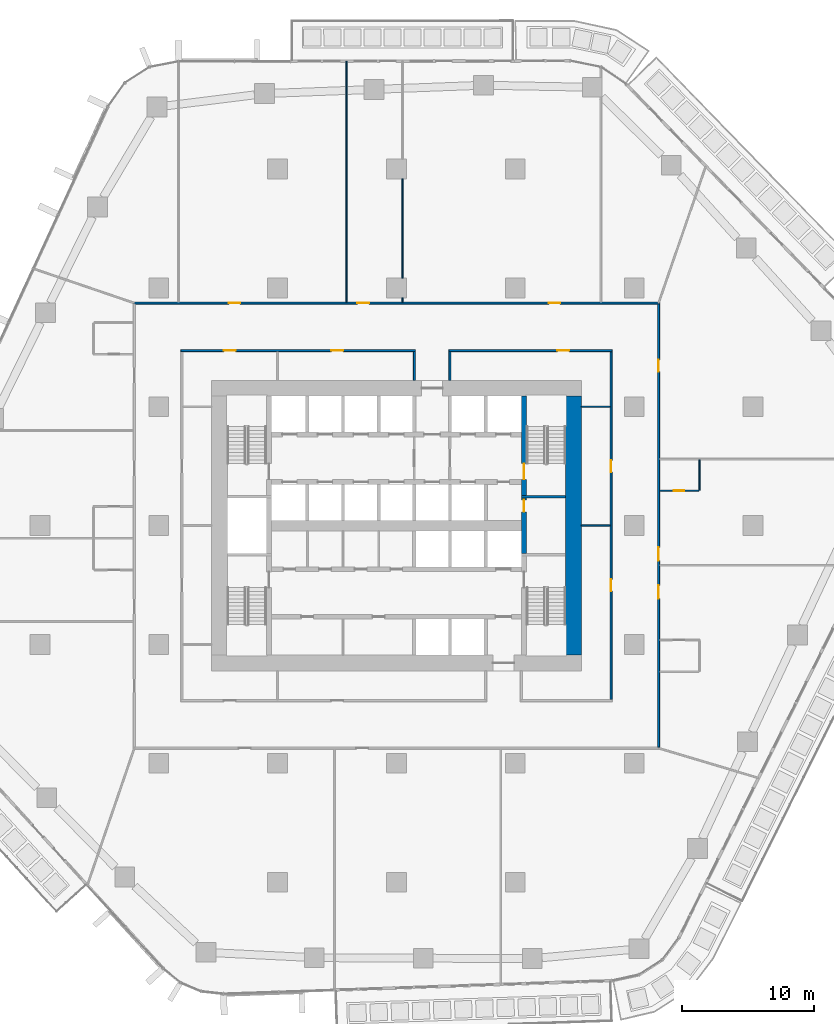
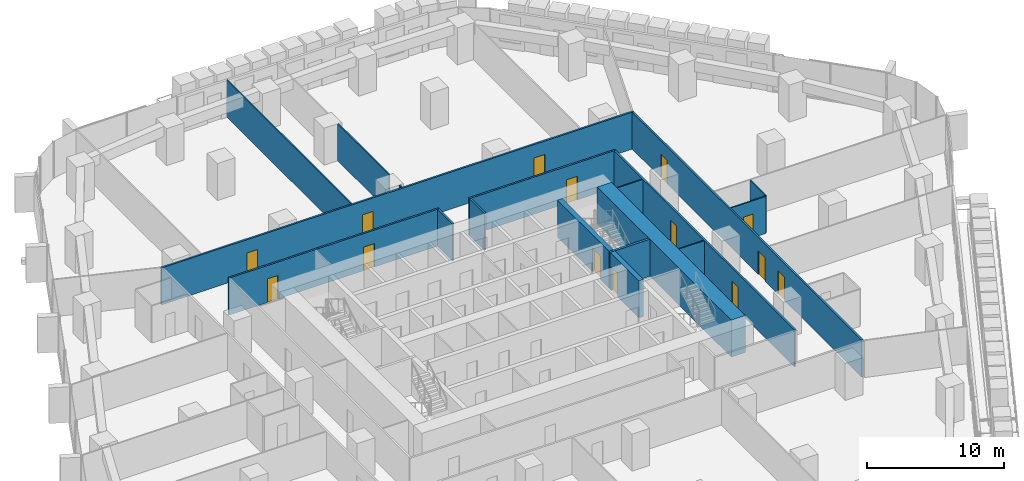
# One storey, part 16 of 26: 18 walls, 14 doors, 14 openings.
"""IFC4 building model written with IfcOpenShell, lengths in metres."""

from ifc_helpers import new_model, si_unit, direction, frame, frame_2d, origin, place, context, subcontext, project, spatial, rectangle, extrude, material, layer, layer_set, type_object, element, fill, save


model = new_model("IFC4")

# Units and contexts
model_context = context("Model", 3, precision=1e-05, world=origin(), true_north=direction((0.0, 1.0)))
body_context = subcontext(model_context, "Body", "Model", "MODEL_VIEW")
ifc_project = project(units=[si_unit("LENGTHUNIT", "METRE"), si_unit("AREAUNIT", "SQUARE_METRE"), si_unit("VOLUMEUNIT", "CUBIC_METRE"), si_unit("PLANEANGLEUNIT", "RADIAN"), si_unit("MASSUNIT", "GRAM", prefix="KILO")], contexts=[model_context])

# Site, building, storey
site_placement = place(None, origin())
site = spatial("IfcSite", under=ifc_project, at=site_placement, CompositionType="ELEMENT")
building_placement = place(site_placement, origin())
building = spatial("IfcBuilding", under=site, at=building_placement, Name="Dongbaek Canopy Tower", CompositionType="ELEMENT")
storey_placement = place(building_placement, frame((0.0, 0.0, 69.89990234375)))
storey = spatial("IfcBuildingStorey", under=building, at=storey_placement, Name="L13", CompositionType="ELEMENT", Elevation=69.89990234375)

# Wall
ifc_material_1 = material(Name="Concrete C60/75", Category="concrete")
ifc_layer_1 = layer(ifc_material_1, 1.199951171875)
ifc_layer_set_1 = layer_set([ifc_layer_1], Name="Core outer wall 1200 Concrete C60/75")
wall_type_1 = type_object("IfcWallType", Name="Core outer wall 1200 Concrete C60/75", PredefinedType="SHEAR", material=ifc_layer_set_1)
wall_1_placement = place(storey_placement, frame((13.39990234375, 9.800048828125, 0.0), z_axis=(0.0, 0.0, 1.0), x_axis=(0.0, -1.0, 0.0)))
element("IfcWall", 1, at=wall_1_placement, inside=storey, type_object=wall_type_1, Name="Core wall", PredefinedType="SHEAR", context=body_context, shape_type="SweptSolid", body=[
    extrude(rectangle(XDim=19.60009765625, YDim=1.199951171875, at=frame_2d((9.800048828125, 0.0))), origin(), (0.0, 0.0, 1.0), 3.300048828125),
])

# Wall, openings, doors
ifc_material_2 = material(Name="Gypsum board partition, steel stud, 2 x 15 mm fire board", Category="steel")
ifc_layer_2 = layer(ifc_material_2, 0.14990234375)
ifc_layer_set_2 = layer_set([ifc_layer_2], Name="Fire-rated partition 150 gypsum board")
wall_type_2 = type_object("IfcWallType", Name="Fire-rated partition 150 gypsum board", PredefinedType="PARTITIONING", material=ifc_layer_set_2)
wall_2_placement = place(storey_placement, frame((1.425048828125, 13.25, 0.0), z_axis=(0.0, 0.0, 1.0), x_axis=(-1.0, 0.0, 0.0)))
wall_2 = element("IfcWall", 2, at=wall_2_placement, inside=storey, type_object=wall_type_2, Name="Corridor partition", PredefinedType="PARTITIONING", context=body_context, shape_type="SweptSolid", body=[
    extrude(rectangle(XDim=17.75, YDim=0.14990234375, at=frame_2d((8.875, 0.0))), origin(), (0.0, 0.0, 1.0), 3.300048828125),
])
opening_1_placement = place(wall_2_placement, frame((5.47509765625, 0.0, 0.0)))
opening_1 = element("IfcOpeningElement", 3, at=opening_1_placement, cuts=wall_2, Name="Opening L13-D024", PredefinedType="OPENING", context=body_context, shape_type="SweptSolid", body=[
    extrude(rectangle(XDim=0.89990234375, YDim=2.10009765625, at=frame_2d((0.449951171875, 1.050048828125))), frame((0.0, 0.0849609375, 0.0), z_axis=(0.0, -1.0, 0.0), x_axis=(1.0, 0.0, 0.0)), (0.0, 0.0, 1.0), 0.169921875),
])
opening_2_placement = place(wall_2_placement, frame((13.60009765625, 0.0, 0.0)))
opening_2 = element("IfcOpeningElement", 4, at=opening_2_placement, cuts=wall_2, Name="Opening L13-D025", PredefinedType="OPENING", context=body_context, shape_type="SweptSolid", body=[
    extrude(rectangle(XDim=0.89990234375, YDim=2.10009765625, at=frame_2d((0.449951171875, 1.050048828125))), frame((0.0, 0.0849609375, 0.0), z_axis=(0.0, -1.0, 0.0), x_axis=(1.0, 0.0, 0.0)), (0.0, 0.0, 1.0), 0.169921875),
])
ifc_material_3 = material(Name="Timber veneered door leaf", Category="wood")
door_type_1 = type_object("IfcDoorType", Name="Room door 900 x 2100", OperationType="SINGLE_SWING_LEFT", PredefinedType="DOOR", material=ifc_material_3)
door_1_placement = place(opening_1_placement, origin())
door_1 = element("IfcDoor", 5, at=door_1_placement, inside=storey, type_object=door_type_1, Name="Door L13-D024", OperationType="SINGLE_SWING_RIGHT", OverallHeight=2.10009765625, OverallWidth=0.89990234375, PredefinedType="DOOR", context=body_context, shape_type="SweptSolid", body=[
    extrude(rectangle(XDim=0.89990234375, YDim=2.10009765625, at=frame_2d((0.449951171875, 1.050048828125))), frame((0.0, 0.02490234375, 0.0), z_axis=(0.0, -1.0, 0.0), x_axis=(1.0, 0.0, 0.0)), (0.0, 0.0, 1.0), 0.050048828125),
])
fill(opening_1, door_1)
door_2_placement = place(opening_2_placement, origin())
door_2 = element("IfcDoor", 6, at=door_2_placement, inside=storey, type_object=door_type_1, Name="Door L13-D025", OperationType="SINGLE_SWING_LEFT", OverallHeight=2.10009765625, OverallWidth=0.89990234375, PredefinedType="DOOR", context=body_context, shape_type="SweptSolid", body=[
    extrude(rectangle(XDim=0.89990234375, YDim=2.10009765625, at=frame_2d((0.449951171875, 1.050048828125))), frame((0.0, 0.02490234375, 0.0), z_axis=(0.0, -1.0, 0.0), x_axis=(1.0, 0.0, 0.0)), (0.0, 0.0, 1.0), 0.050048828125),
])
fill(opening_2, door_2)

# Wall, opening, door
wall_3_placement = place(storey_placement, frame((16.324951171875, 13.25, 0.0), z_axis=(0.0, 0.0, 1.0), x_axis=(-1.0, 0.0, 0.0)))
wall_3 = element("IfcWall", 7, at=wall_3_placement, inside=storey, type_object=wall_type_2, Name="Corridor partition", PredefinedType="PARTITIONING", context=body_context, shape_type="SweptSolid", body=[
    extrude(rectangle(XDim=12.349853515625, YDim=0.14990234375, at=frame_2d((6.1748046875, 0.0))), origin(), (0.0, 0.0, 1.0), 3.300048828125),
])
opening_3_placement = place(wall_3_placement, frame((3.25, 0.0, 0.0)))
opening_3 = element("IfcOpeningElement", 8, at=opening_3_placement, cuts=wall_3, Name="Opening L13-D023", PredefinedType="OPENING", context=body_context, shape_type="SweptSolid", body=[
    extrude(rectangle(XDim=0.89990234375, YDim=2.10009765625, at=frame_2d((0.449951171875, 1.050048828125))), frame((0.0, 0.0849609375, 0.0), z_axis=(0.0, -1.0, 0.0), x_axis=(1.0, 0.0, 0.0)), (0.0, 0.0, 1.0), 0.169921875),
])
door_3_placement = place(opening_3_placement, origin())
door_3 = element("IfcDoor", 9, at=door_3_placement, inside=storey, type_object=door_type_1, Name="Door L13-D023", OperationType="SINGLE_SWING_LEFT", OverallHeight=2.10009765625, OverallWidth=0.89990234375, PredefinedType="DOOR", context=body_context, shape_type="SweptSolid", body=[
    extrude(rectangle(XDim=0.89990234375, YDim=2.10009765625, at=frame_2d((0.449951171875, 1.050048828125))), frame((0.0, 0.02490234375, 0.0), z_axis=(0.0, -1.0, 0.0), x_axis=(1.0, 0.0, 0.0)), (0.0, 0.0, 1.0), 0.050048828125),
])
fill(opening_3, door_3)

# Wall, openings, doors
wall_4_placement = place(storey_placement, frame((-19.925048828125, 16.85009765625, 0.0), z_axis=(0.0, 0.0, 1.0), x_axis=(1.0, 0.0, 0.0)))
wall_4 = element("IfcWall", 10, at=wall_4_placement, inside=storey, type_object=wall_type_2, Name="Corridor partition", PredefinedType="PARTITIONING", context=body_context, shape_type="SweptSolid", body=[
    extrude(rectangle(XDim=39.85009765625, YDim=0.14990234375, at=frame_2d((19.925048828125, 0.0))), origin(), (0.0, 0.0, 1.0), 3.300048828125),
])
opening_4_placement = place(wall_4_placement, frame((31.436279296875, 0.0, 0.0)))
opening_4 = element("IfcOpeningElement", 11, at=opening_4_placement, cuts=wall_4, Name="Opening L13-D011", PredefinedType="OPENING", context=body_context, shape_type="SweptSolid", body=[
    extrude(rectangle(XDim=0.89990234375, YDim=2.10009765625, at=frame_2d((0.449951171875, 1.050048828125))), frame((0.0, 0.0849609375, 0.0), z_axis=(0.0, -1.0, 0.0), x_axis=(1.0, 0.0, 0.0)), (0.0, 0.0, 1.0), 0.169921875),
])
opening_5_placement = place(wall_4_placement, frame((16.9541015625, 0.0, 0.0)))
opening_5 = element("IfcOpeningElement", 12, at=opening_5_placement, cuts=wall_4, Name="Opening L13-D012", PredefinedType="OPENING", context=body_context, shape_type="SweptSolid", body=[
    extrude(rectangle(XDim=0.89990234375, YDim=2.10009765625, at=frame_2d((0.449951171875, 1.050048828125))), frame((0.0, 0.0849609375, 0.0), z_axis=(0.0, -1.0, 0.0), x_axis=(1.0, 0.0, 0.0)), (0.0, 0.0, 1.0), 0.169921875),
])
opening_6_placement = place(wall_4_placement, frame((7.20849609375, 0.0, 0.0)))
opening_6 = element("IfcOpeningElement", 13, at=opening_6_placement, cuts=wall_4, Name="Opening L13-D013", PredefinedType="OPENING", context=body_context, shape_type="SweptSolid", body=[
    extrude(rectangle(XDim=0.89990234375, YDim=2.10009765625, at=frame_2d((0.449951171875, 1.050048828125))), frame((0.0, 0.0849609375, 0.0), z_axis=(0.0, -1.0, 0.0), x_axis=(1.0, 0.0, 0.0)), (0.0, 0.0, 1.0), 0.169921875),
])
door_4_placement = place(opening_4_placement, origin())
door_4 = element("IfcDoor", 14, at=door_4_placement, inside=storey, type_object=door_type_1, Name="Door L13-D011", OperationType="SINGLE_SWING_RIGHT", OverallHeight=2.10009765625, OverallWidth=0.89990234375, PredefinedType="DOOR", context=body_context, shape_type="SweptSolid", body=[
    extrude(rectangle(XDim=0.89990234375, YDim=2.10009765625, at=frame_2d((0.449951171875, 1.050048828125))), frame((0.0, 0.02490234375, 0.0), z_axis=(0.0, -1.0, 0.0), x_axis=(1.0, 0.0, 0.0)), (0.0, 0.0, 1.0), 0.050048828125),
])
fill(opening_4, door_4)
door_5_placement = place(opening_5_placement, origin())
door_5 = element("IfcDoor", 15, at=door_5_placement, inside=storey, type_object=door_type_1, Name="Door L13-D012", OperationType="SINGLE_SWING_LEFT", OverallHeight=2.10009765625, OverallWidth=0.89990234375, PredefinedType="DOOR", context=body_context, shape_type="SweptSolid", body=[
    extrude(rectangle(XDim=0.89990234375, YDim=2.10009765625, at=frame_2d((0.449951171875, 1.050048828125))), frame((0.0, 0.02490234375, 0.0), z_axis=(0.0, -1.0, 0.0), x_axis=(1.0, 0.0, 0.0)), (0.0, 0.0, 1.0), 0.050048828125),
])
fill(opening_5, door_5)
door_6_placement = place(opening_6_placement, origin())
door_6 = element("IfcDoor", 16, at=door_6_placement, inside=storey, type_object=door_type_1, Name="Door L13-D013", OperationType="SINGLE_SWING_RIGHT", OverallHeight=2.10009765625, OverallWidth=0.89990234375, PredefinedType="DOOR", context=body_context, shape_type="SweptSolid", body=[
    extrude(rectangle(XDim=0.89990234375, YDim=2.10009765625, at=frame_2d((0.449951171875, 1.050048828125))), frame((0.0, 0.02490234375, 0.0), z_axis=(0.0, -1.0, 0.0), x_axis=(1.0, 0.0, 0.0)), (0.0, 0.0, 1.0), 0.050048828125),
])
fill(opening_6, door_6)

wall_5_placement = place(storey_placement, frame((19.85009765625, 16.77490234375, 0.0), z_axis=(0.0, 0.0, 1.0), x_axis=(0.0, -1.0, 0.0)))
wall_5 = element("IfcWall", 17, at=wall_5_placement, inside=storey, type_object=wall_type_2, Name="Corridor partition", PredefinedType="PARTITIONING", context=body_context, shape_type="SweptSolid", body=[
    extrude(rectangle(XDim=33.5498046875, YDim=0.14990234375, at=frame_2d((16.77490234375, 0.0))), origin(), (0.0, 0.0, 1.0), 3.300048828125),
])
opening_7_placement = place(wall_5_placement, frame((21.29345703125, 0.0, 0.0)))
opening_7 = element("IfcOpeningElement", 18, at=opening_7_placement, cuts=wall_5, Name="Opening L13-D007", PredefinedType="OPENING", context=body_context, shape_type="SweptSolid", body=[
    extrude(rectangle(XDim=1.0, YDim=2.10009765625, at=frame_2d((0.5, 1.050048828125))), frame((0.0, 0.0849609375, 0.0), z_axis=(0.0, -1.0, 0.0), x_axis=(1.0, 0.0, 0.0)), (0.0, 0.0, 1.0), 0.169921875),
])
opening_8_placement = place(wall_5_placement, frame((18.426513671875, 0.0, 0.0)))
opening_8 = element("IfcOpeningElement", 19, at=opening_8_placement, cuts=wall_5, Name="Opening L13-D009", PredefinedType="OPENING", context=body_context, shape_type="SweptSolid", body=[
    extrude(rectangle(XDim=1.0, YDim=2.10009765625, at=frame_2d((0.5, 1.050048828125))), frame((0.0, 0.0849609375, 0.0), z_axis=(0.0, -1.0, 0.0), x_axis=(1.0, 0.0, 0.0)), (0.0, 0.0, 1.0), 0.169921875),
])
opening_9_placement = place(wall_5_placement, frame((4.210693359375, 0.0, 0.0)))
opening_9 = element("IfcOpeningElement", 20, at=opening_9_placement, cuts=wall_5, Name="Opening L13-D010", PredefinedType="OPENING", context=body_context, shape_type="SweptSolid", body=[
    extrude(rectangle(XDim=0.89990234375, YDim=2.10009765625, at=frame_2d((0.449951171875, 1.050048828125))), frame((0.0, 0.0849609375, 0.0), z_axis=(0.0, -1.0, 0.0), x_axis=(1.0, 0.0, 0.0)), (0.0, 0.0, 1.0), 0.169921875),
])
ifc_material_4 = material(Name="Timber veneered door leaf", Category="wood")
door_type_2 = type_object("IfcDoorType", Name="Guest room door 1000 x 2100", OperationType="SINGLE_SWING_LEFT", PredefinedType="DOOR", material=ifc_material_4)
door_7_placement = place(opening_7_placement, origin())
door_7 = element("IfcDoor", 21, at=door_7_placement, inside=storey, type_object=door_type_2, Name="Door L13-D007", OperationType="SINGLE_SWING_RIGHT", OverallHeight=2.10009765625, OverallWidth=1.0, PredefinedType="DOOR", context=body_context, shape_type="SweptSolid", body=[
    extrude(rectangle(XDim=1.0, YDim=2.10009765625, at=frame_2d((0.5, 1.050048828125))), frame((0.0, 0.02490234375, 0.0), z_axis=(0.0, -1.0, 0.0), x_axis=(1.0, 0.0, 0.0)), (0.0, 0.0, 1.0), 0.050048828125),
])
fill(opening_7, door_7)
door_8_placement = place(opening_8_placement, origin())
door_8 = element("IfcDoor", 22, at=door_8_placement, inside=storey, type_object=door_type_2, Name="Door L13-D009", OperationType="SINGLE_SWING_LEFT", OverallHeight=2.10009765625, OverallWidth=1.0, PredefinedType="DOOR", context=body_context, shape_type="SweptSolid", body=[
    extrude(rectangle(XDim=1.0, YDim=2.10009765625, at=frame_2d((0.5, 1.050048828125))), frame((0.0, 0.02490234375, 0.0), z_axis=(0.0, -1.0, 0.0), x_axis=(1.0, 0.0, 0.0)), (0.0, 0.0, 1.0), 0.050048828125),
])
fill(opening_8, door_8)
door_9_placement = place(opening_9_placement, origin())
door_9 = element("IfcDoor", 23, at=door_9_placement, inside=storey, type_object=door_type_1, Name="Door L13-D010", OperationType="SINGLE_SWING_RIGHT", OverallHeight=2.10009765625, OverallWidth=0.89990234375, PredefinedType="DOOR", context=body_context, shape_type="SweptSolid", body=[
    extrude(rectangle(XDim=0.89990234375, YDim=2.10009765625, at=frame_2d((0.449951171875, 1.050048828125))), frame((0.0, 0.02490234375, 0.0), z_axis=(0.0, -1.0, 0.0), x_axis=(1.0, 0.0, 0.0)), (0.0, 0.0, 1.0), 0.050048828125),
])
fill(opening_9, door_9)

wall_6_placement = place(storey_placement, frame((16.25, -13.175048828125, 0.0), z_axis=(0.0, 0.0, 1.0), x_axis=(0.0, 1.0, 0.0)))
wall_6 = element("IfcWall", 24, at=wall_6_placement, inside=storey, type_object=wall_type_2, Name="Corridor partition", PredefinedType="PARTITIONING", context=body_context, shape_type="SweptSolid", body=[
    extrude(rectangle(XDim=26.35009765625, YDim=0.14990234375, at=frame_2d((13.175048828125, 0.0))), origin(), (0.0, 0.0, 1.0), 3.300048828125),
])
opening_10_placement = place(wall_6_placement, frame((8.22509765625, 0.0, 0.0)))
opening_10 = element("IfcOpeningElement", 25, at=opening_10_placement, cuts=wall_6, Name="Opening L13-D021", PredefinedType="OPENING", context=body_context, shape_type="SweptSolid", body=[
    extrude(rectangle(XDim=0.89990234375, YDim=2.10009765625, at=frame_2d((0.449951171875, 1.050048828125))), frame((0.0, 0.0849609375, 0.0), z_axis=(0.0, -1.0, 0.0), x_axis=(1.0, 0.0, 0.0)), (0.0, 0.0, 1.0), 0.169921875),
])
opening_11_placement = place(wall_6_placement, frame((17.22509765625, 0.0, 0.0)))
opening_11 = element("IfcOpeningElement", 26, at=opening_11_placement, cuts=wall_6, Name="Opening L13-D022", PredefinedType="OPENING", context=body_context, shape_type="SweptSolid", body=[
    extrude(rectangle(XDim=0.89990234375, YDim=2.10009765625, at=frame_2d((0.449951171875, 1.050048828125))), frame((0.0, 0.0849609375, 0.0), z_axis=(0.0, -1.0, 0.0), x_axis=(1.0, 0.0, 0.0)), (0.0, 0.0, 1.0), 0.169921875),
])
door_10_placement = place(opening_10_placement, origin())
door_10 = element("IfcDoor", 27, at=door_10_placement, inside=storey, type_object=door_type_1, Name="Door L13-D021", OperationType="SINGLE_SWING_LEFT", OverallHeight=2.10009765625, OverallWidth=0.89990234375, PredefinedType="DOOR", context=body_context, shape_type="SweptSolid", body=[
    extrude(rectangle(XDim=0.89990234375, YDim=2.10009765625, at=frame_2d((0.449951171875, 1.050048828125))), frame((0.0, 0.02490234375, 0.0), z_axis=(0.0, -1.0, 0.0), x_axis=(1.0, 0.0, 0.0)), (0.0, 0.0, 1.0), 0.050048828125),
])
fill(opening_10, door_10)
door_11_placement = place(opening_11_placement, origin())
door_11 = element("IfcDoor", 28, at=door_11_placement, inside=storey, type_object=door_type_1, Name="Door L13-D022", OperationType="SINGLE_SWING_RIGHT", OverallHeight=2.10009765625, OverallWidth=0.89990234375, PredefinedType="DOOR", context=body_context, shape_type="SweptSolid", body=[
    extrude(rectangle(XDim=0.89990234375, YDim=2.10009765625, at=frame_2d((0.449951171875, 1.050048828125))), frame((0.0, 0.02490234375, 0.0), z_axis=(0.0, -1.0, 0.0), x_axis=(1.0, 0.0, 0.0)), (0.0, 0.0, 1.0), 0.050048828125),
])
fill(opening_11, door_11)

# Walls
for number, where, z_axis, x_axis, name in (
    (29, (4.050048828125, 11.0, 0.0), (0.0, 0.0, 1.0), (0.0, 1.0, 0.0), "Corridor partition"),
    (30, (1.35009765625, 11.0, 0.0), (0.0, 0.0, 1.0), (0.0, 1.0, 0.0), "Corridor partition"),
):
    element("IfcWall", number, at=place(storey_placement, frame(where, z_axis=z_axis, x_axis=x_axis)), inside=storey, type_object=wall_type_2, Name=name, PredefinedType="PARTITIONING", context=body_context, shape_type="SweptSolid", body=[
        extrude(rectangle(XDim=2.175048828125, YDim=0.14990234375, at=frame_2d((1.08740234375, 0.0))), origin(), (0.0, 0.0, 1.0), 3.300048828125),
    ])
ifc_material_5 = material(Name="Gypsum board partition, steel stud, 2 x 12.5 mm board", Category="steel")
ifc_layer_3 = layer(ifc_material_5, 0.10009765625)
ifc_layer_set_3 = layer_set([ifc_layer_3], Name="Partition 100 gypsum board")
wall_type_3 = type_object("IfcWallType", Name="Partition 100 gypsum board", PredefinedType="PARTITIONING", material=ifc_layer_set_3)
wall_7_placement = place(storey_placement, frame((14.0, 0.0, 0.0), z_axis=(0.0, 0.0, 1.0), x_axis=(1.0, 0.0, 0.0)))
element("IfcWall", 31, at=wall_7_placement, inside=storey, type_object=wall_type_3, Name="Partition", PredefinedType="PARTITIONING", context=body_context, shape_type="SweptSolid", body=[
    extrude(rectangle(XDim=2.175048828125, YDim=0.10009765625, at=frame_2d((1.08740234375, 0.0))), origin(), (0.0, 0.0, 1.0), 3.300048828125),
])

# Wall, opening, door
wall_8_placement = place(storey_placement, frame((19.925048828125, 2.638916015625, 0.0), z_axis=(0.0, 0.0, 1.0), x_axis=(1.0, 0.0, 0.0)))
wall_8 = element("IfcWall", 32, at=wall_8_placement, inside=storey, type_object=wall_type_3, Name="Partition", PredefinedType="PARTITIONING", context=body_context, shape_type="SweptSolid", body=[
    extrude(rectangle(XDim=2.974853515625, YDim=0.10009765625, at=frame_2d((1.4873046875, 0.0))), origin(), (0.0, 0.0, 1.0), 3.300048828125),
])
opening_12_placement = place(wall_8_placement, frame((1.074951171875, 0.0, 0.0)))
opening_12 = element("IfcOpeningElement", 33, at=opening_12_placement, cuts=wall_8, Name="Opening L13-D008", PredefinedType="OPENING", context=body_context, shape_type="SweptSolid", body=[
    extrude(rectangle(XDim=0.800048828125, YDim=2.10009765625, at=frame_2d((0.39990234375, 1.050048828125))), frame((0.0, 0.06005859375, 0.0), z_axis=(0.0, -1.0, 0.0), x_axis=(1.0, 0.0, 0.0)), (0.0, 0.0, 1.0), 0.1201171875),
])
ifc_material_6 = material(Name="Timber veneered door leaf", Category="wood")
door_type_3 = type_object("IfcDoorType", Name="En-suite door 800 x 2100", OperationType="SINGLE_SWING_LEFT", PredefinedType="DOOR", material=ifc_material_6)
door_12_placement = place(opening_12_placement, origin())
door_12 = element("IfcDoor", 34, at=door_12_placement, inside=storey, type_object=door_type_3, Name="Door L13-D008", OperationType="SINGLE_SWING_RIGHT", OverallHeight=2.10009765625, OverallWidth=0.800048828125, PredefinedType="DOOR", context=body_context, shape_type="SweptSolid", body=[
    extrude(rectangle(XDim=0.800048828125, YDim=2.10009765625, at=frame_2d((0.39990234375, 1.050048828125))), frame((0.0, 0.02490234375, 0.0), z_axis=(0.0, -1.0, 0.0), x_axis=(1.0, 0.0, 0.0)), (0.0, 0.0, 1.0), 0.050048828125),
])
fill(opening_12, door_12)

# Walls
wall_9_placement = place(storey_placement, frame((14.0, 9.0, 0.0), z_axis=(0.0, 0.0, 1.0), x_axis=(1.0, 0.0, 0.0)))
element("IfcWall", 35, at=wall_9_placement, inside=storey, type_object=wall_type_3, Name="Partition", PredefinedType="PARTITIONING", context=body_context, shape_type="SweptSolid", body=[
    extrude(rectangle(XDim=2.175048828125, YDim=0.10009765625, at=frame_2d((1.08740234375, 0.0))), origin(), (0.0, 0.0, 1.0), 3.300048828125),
])
wall_10_placement = place(storey_placement, frame((22.949951171875, 2.68896484375, 0.0), z_axis=(0.0, 0.0, 1.0), x_axis=(0.0, 1.0, 0.0)))
element("IfcWall", 36, at=wall_10_placement, inside=storey, type_object=wall_type_3, Name="Partition", PredefinedType="PARTITIONING", context=body_context, shape_type="SweptSolid", body=[
    extrude(rectangle(XDim=2.300048828125, YDim=0.10009765625, at=frame_2d((1.14990234375, 0.0))), origin(), (0.0, 0.0, 1.0), 3.300048828125),
])
wall_11_placement = place(storey_placement, frame((0.451904296875, 16.925048828125, 0.0), z_axis=(0.0, 0.0, 1.0), x_axis=(0.0, 1.0, 0.0)))
element("IfcWall", 37, at=wall_11_placement, inside=storey, type_object=wall_type_3, Name="Partition", PredefinedType="PARTITIONING", context=body_context, shape_type="SweptSolid", body=[
    extrude(rectangle(XDim=0.324951171875, YDim=0.10009765625, at=frame_2d((0.16259765625, 0.0))), origin(), (0.0, 0.0, 1.0), 3.300048828125),
])
wall_12_placement = place(storey_placement, frame((0.451904296875, 18.75, 0.0), z_axis=(0.0, 0.0, 1.0), x_axis=(0.0, 1.0, 0.0)))
element("IfcWall", 38, at=wall_12_placement, inside=storey, type_object=wall_type_3, Name="Partition", PredefinedType="PARTITIONING", context=body_context, shape_type="SweptSolid", body=[
    extrude(rectangle(XDim=7.5, YDim=0.10009765625, at=frame_2d((3.75, 0.0))), origin(), (0.0, 0.0, 1.0), 3.300048828125),
])
wall_13_placement = place(storey_placement, frame((-3.7890625, 16.925048828125, 0.0), z_axis=(0.0, 0.0, 1.0), x_axis=(0.0, 1.0, 0.0)))
element("IfcWall", 39, at=wall_13_placement, inside=storey, type_object=wall_type_3, Name="Partition", PredefinedType="PARTITIONING", context=body_context, shape_type="SweptSolid", body=[
    extrude(rectangle(XDim=18.226318359375, YDim=0.10009765625, at=frame_2d((9.11328125, 0.0))), origin(), (0.0, 0.0, 1.0), 3.300048828125),
])
ifc_material_7 = material(Name="Concrete C60/75", Category="concrete")
ifc_layer_4 = layer(ifc_material_7, 0.199951171875)
ifc_layer_set_4 = layer_set([ifc_layer_4], Name="Riser wall 200 Concrete C60/75")
wall_type_4 = type_object("IfcWallType", Name="Riser wall 200 Concrete C60/75", PredefinedType="SHEAR", material=ifc_layer_set_4)
wall_14_placement = place(storey_placement, frame((9.449951171875, 2.199951171875, 0.0), z_axis=(0.0, 0.0, 1.0), x_axis=(1.0, 0.0, 0.0)))
element("IfcWall", 40, at=wall_14_placement, inside=storey, type_object=wall_type_4, Name="Riser wall", PredefinedType="SHEAR", context=body_context, shape_type="SweptSolid", body=[
    extrude(rectangle(XDim=3.35009765625, YDim=0.199951171875, at=frame_2d((1.675048828125, 0.0))), origin(), (0.0, 0.0, 1.0), 3.300048828125),
])

# Wall, opening, door
ifc_material_8 = material(Name="Concrete C60/75", Category="concrete")
ifc_layer_5 = layer(ifc_material_8, 0.39990234375)
ifc_layer_set_5 = layer_set([ifc_layer_5], Name="Stair wall 400 Concrete C60/75")
wall_type_5 = type_object("IfcWallType", Name="Stair wall 400 Concrete C60/75", PredefinedType="SHEAR", material=ifc_layer_set_5)
wall_15_placement = place(storey_placement, frame((9.64990234375, 2.10009765625, 0.0), z_axis=(0.0, 0.0, 1.0), x_axis=(0.0, -1.0, 0.0)))
wall_15 = element("IfcWall", 41, at=wall_15_placement, inside=storey, type_object=wall_type_5, Name="Stair wall", PredefinedType="SHEAR", context=body_context, shape_type="SweptSolid", body=[
    extrude(rectangle(XDim=4.2001953125, YDim=0.39990234375, at=frame_2d((2.10009765625, 0.0))), origin(), (0.0, 0.0, 1.0), 3.300048828125),
])
opening_13_placement = place(wall_15_placement, frame((0.14990234375, 0.0, 0.0)))
opening_13 = element("IfcOpeningElement", 42, at=opening_13_placement, cuts=wall_15, Name="Opening L13-D027", PredefinedType="OPENING", context=body_context, shape_type="SweptSolid", body=[
    extrude(rectangle(XDim=0.89990234375, YDim=2.10009765625, at=frame_2d((0.449951171875, 1.050048828125))), frame((0.0, 0.2099609375, 0.0), z_axis=(0.0, -1.0, 0.0), x_axis=(1.0, 0.0, 0.0)), (0.0, 0.0, 1.0), 0.419921875),
])
ifc_material_9 = material(Name="Steel", Category="steel")
door_type_4 = type_object("IfcDoorType", Name="Core room door 900 x 2100", OperationType="SINGLE_SWING_LEFT", PredefinedType="DOOR", material=ifc_material_9)
door_13_placement = place(opening_13_placement, origin())
door_13 = element("IfcDoor", 43, at=door_13_placement, inside=storey, type_object=door_type_4, Name="Door L13-D027", OperationType="SINGLE_SWING_RIGHT", OverallHeight=2.10009765625, OverallWidth=0.89990234375, PredefinedType="DOOR", context=body_context, shape_type="SweptSolid", body=[
    extrude(rectangle(XDim=0.89990234375, YDim=2.10009765625, at=frame_2d((0.449951171875, 1.050048828125))), frame((0.0, 0.02490234375, 0.0), z_axis=(0.0, -1.0, 0.0), x_axis=(1.0, 0.0, 0.0)), (0.0, 0.0, 1.0), 0.050048828125),
])
fill(opening_13, door_13)

wall_16_placement = place(storey_placement, frame((9.64990234375, 9.800048828125, 0.0), z_axis=(0.0, 0.0, 1.0), x_axis=(0.0, -1.0, 0.0)))
wall_16 = element("IfcWall", 44, at=wall_16_placement, inside=storey, type_object=wall_type_5, Name="Stair wall", PredefinedType="SHEAR", context=body_context, shape_type="SweptSolid", body=[
    extrude(rectangle(XDim=7.5, YDim=0.39990234375, at=frame_2d((3.75, 0.0))), origin(), (0.0, 0.0, 1.0), 3.300048828125),
])
opening_14_placement = place(wall_16_placement, frame((5.10009765625, 0.0, 0.0)))
opening_14 = element("IfcOpeningElement", 45, at=opening_14_placement, cuts=wall_16, Name="Opening L13-D052", PredefinedType="OPENING", context=body_context, shape_type="SweptSolid", body=[
    extrude(rectangle(XDim=1.199951171875, YDim=2.10009765625, at=frame_2d((0.60009765625, 1.050048828125))), frame((0.0, 0.2099609375, 0.0), z_axis=(0.0, -1.0, 0.0), x_axis=(1.0, 0.0, 0.0)), (0.0, 0.0, 1.0), 0.419921875),
])
ifc_material_10 = material(Name="Steel", Category="steel")
door_type_5 = type_object("IfcDoorType", Name="Stair door 1200 x 2100", OperationType="SINGLE_SWING_LEFT", PredefinedType="DOOR", material=ifc_material_10)
door_14_placement = place(opening_14_placement, origin())
door_14 = element("IfcDoor", 46, at=door_14_placement, inside=storey, type_object=door_type_5, Name="Stair A door", OperationType="SINGLE_SWING_LEFT", OverallHeight=2.10009765625, OverallWidth=1.199951171875, PredefinedType="DOOR", context=body_context, shape_type="SweptSolid", body=[
    extrude(rectangle(XDim=1.199951171875, YDim=2.10009765625, at=frame_2d((0.60009765625, 1.050048828125))), frame((0.0, 0.02490234375, 0.0), z_axis=(0.0, -1.0, 0.0), x_axis=(1.0, 0.0, 0.0)), (0.0, 0.0, 1.0), 0.050048828125),
])
fill(opening_14, door_14)

save(model, "model.ifc")
